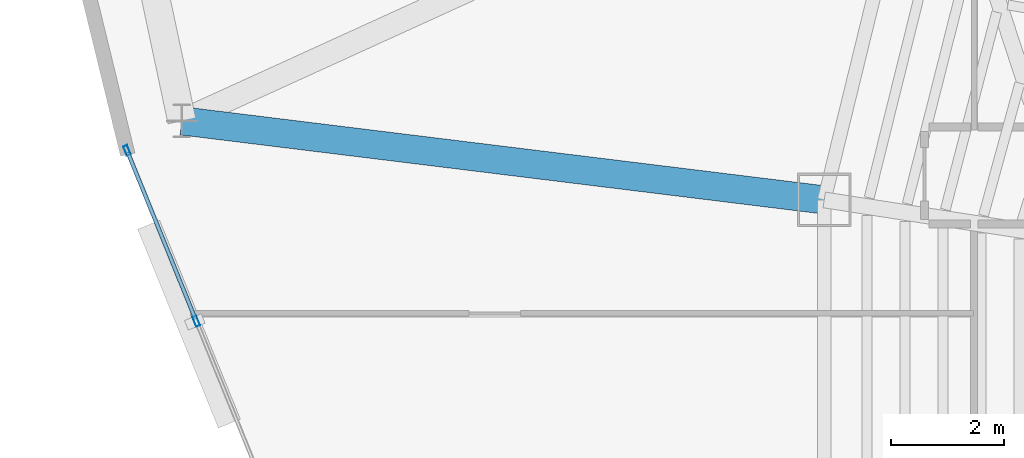
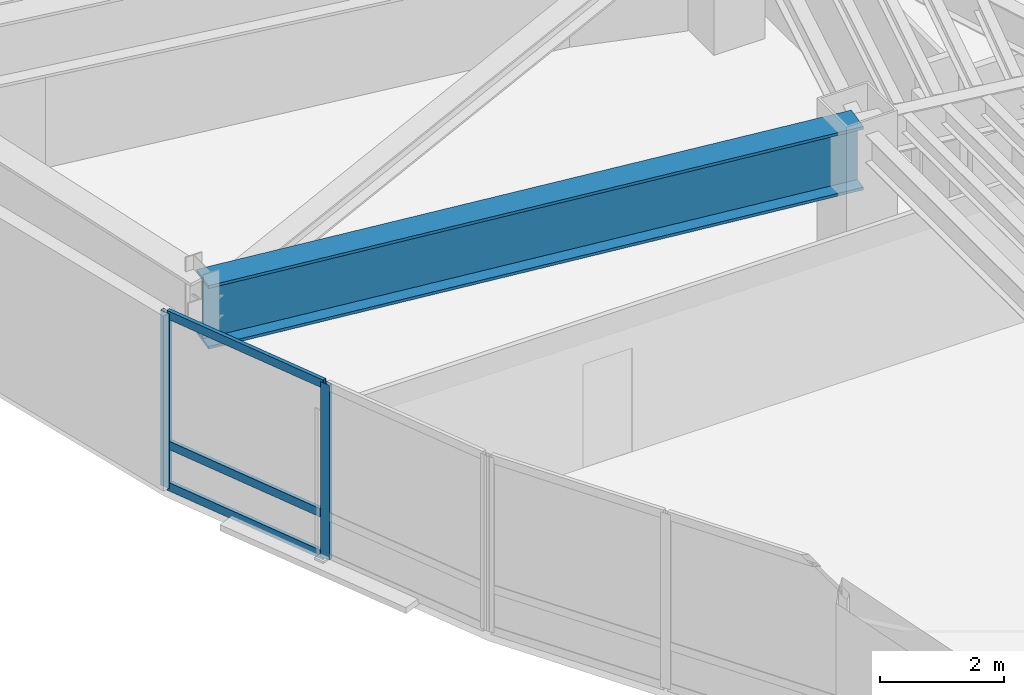
# One storey, part 6 of 16: 5 members, 1 beam, 1 element without a shape of its own.
"""IFC4 building model written with IfcOpenShell, lengths in metres."""

import ifcopenshell
import ifcopenshell.guid

model = None  # the IFC model being written
_history = None  # IfcOwnerHistory: only IFC2X3 demands one
_inside = {}  # id of a spatial element -> (the spatial element, [elements in it])
_under = {}  # id of a project, library or spatial element -> (it, [spatial elements below it])
_declared = {}  # id of a project -> (the project, [libraries it declares])
_typed = {}  # id of a type object -> (the type object, [elements of that type])
_made_of = {}  # id of a material, layer set ... -> (it, [elements and type objects made of it])


def new_model(schema):
    """Start an empty IFC model of exactly this schema.

    Asked for "IFC4X3", IfcOpenShell would pick the latest addendum, in which some entities
    have other attributes; the version numbers below select the first issue.
    IFC2X3 requires an IfcOwnerHistory on every rooted entity: one is made here for all.
    """
    global model, _history
    if schema == "IFC4X3":
        model = ifcopenshell.file(schema_version=(4, 3, 0, 0))
    else:
        model = ifcopenshell.file(schema=schema)
    _inside.clear()
    _under.clear()
    _declared.clear()
    _typed.clear()
    _made_of.clear()
    _history = None
    if model.schema == "IFC2X3":
        org = make("IfcOrganization", Name="unknown")
        user = make(
            "IfcPersonAndOrganization",
            ThePerson=make("IfcPerson", FamilyName="unknown"),
            TheOrganization=org,
        )
        app = make(
            "IfcApplication",
            ApplicationDeveloper=org,
            Version="unknown",
            ApplicationFullName="unknown",
            ApplicationIdentifier="unknown",
        )
        _history = make(
            "IfcOwnerHistory",
            OwningUser=user,
            OwningApplication=app,
            ChangeAction="ADDED",
            CreationDate=0,
        )
    return model


def make(cls, **values):
    """One entity of the class cls with the attributes given. An attribute that is None is left unset."""
    return model.create_entity(
        cls, **{name: value for name, value in values.items() if value is not None}
    )


def rooted(cls, **values):
    """An entity with a GlobalId (a new one), such as an element, a storey or a relation."""
    return make(cls, GlobalId=ifcopenshell.guid.new(), OwnerHistory=_history, **values)


def si_unit(unit_type, name, prefix=None):
    """IfcSIUnit, for example si_unit("LENGTHUNIT", "METRE", prefix="MILLI")."""
    return make("IfcSIUnit", UnitType=unit_type, Prefix=prefix, Name=name)


def assignment(units):
    """IfcUnitAssignment: the units of a project."""
    return None if units is None else make("IfcUnitAssignment", Units=units)


def point(xyz):
    """IfcCartesianPoint."""
    return None if xyz is None else make("IfcCartesianPoint", Coordinates=xyz)


def direction(xyz):
    """IfcDirection."""
    return None if xyz is None else make("IfcDirection", DirectionRatios=xyz)


def frame(location, z_axis=None, x_axis=None):
    """IfcAxis2Placement3D, a coordinate frame: its origin and axes. An axis left out is left unset."""
    return make(
        "IfcAxis2Placement3D",
        Location=point(location),
        Axis=direction(z_axis),
        RefDirection=direction(x_axis),
    )


def frame_2d(location, x_axis=None):
    """IfcAxis2Placement2D, a coordinate frame in the plane: its origin and x axis."""
    return make(
        "IfcAxis2Placement2D", Location=point(location), RefDirection=direction(x_axis)
    )


def origin():
    """The frame at (0, 0, 0) with its axes left unset."""
    return frame((0.0, 0.0, 0.0))


def origin_2d():
    """The frame at (0, 0) in the plane with its x axis left unset."""
    return frame_2d((0.0, 0.0))


def place(relative_to, where):
    """IfcLocalPlacement: puts the frame where relative to a parent placement (None: the world)."""
    return make(
        "IfcLocalPlacement", PlacementRelTo=relative_to, RelativePlacement=where
    )


def context(
    kind, dimensions, precision=None, world=None, true_north=None, identifier=None
):
    """IfcGeometricRepresentationContext, for example the 3D "Model" context."""
    return make(
        "IfcGeometricRepresentationContext",
        ContextIdentifier=identifier,
        ContextType=kind,
        CoordinateSpaceDimension=dimensions,
        Precision=precision,
        WorldCoordinateSystem=world,
        TrueNorth=true_north,
    )


def subcontext(parent, identifier, kind, view, scale=None):
    """IfcGeometricRepresentationSubContext, for example "Body" below "Model"."""
    return make(
        "IfcGeometricRepresentationSubContext",
        ContextIdentifier=identifier,
        ContextType=kind,
        ParentContext=parent,
        TargetScale=scale,
        TargetView=view,
    )


def project(units=None, contexts=None):
    """IfcProject with its units and contexts."""
    return rooted(
        "IfcProject",
        Name="project",
        RepresentationContexts=contexts,
        UnitsInContext=assignment(units),
    )


def spatial(cls, under=None, at=None, **own):
    """A site, building, storey or space (cls), placed at a placement, below another one or the project."""
    s = rooted(cls, ObjectPlacement=at, **own)
    if under is not None:
        _under.setdefault(under.id(), (under, []))[1].append(s)
    return s


def profile(cls, at=None, kind="AREA", **sizes):
    """A parametric profile (cls). Its sizes go by their IFC names, for example OverallWidth=200.0."""
    return make(cls, ProfileType=kind, Position=at, **sizes)


def hollow_rectangle(**sizes):
    """IfcRectangleHollowProfileDef."""
    return profile("IfcRectangleHollowProfileDef", **sizes)


def i_section(**sizes):
    """IfcIShapeProfileDef."""
    return profile("IfcIShapeProfileDef", **sizes)


def extrude(swept, where, along, depth):
    """IfcExtrudedAreaSolid: the profile swept, set in the frame where, extruded along a direction by depth."""
    return make(
        "IfcExtrudedAreaSolid",
        SweptArea=swept,
        Position=where,
        ExtrudedDirection=direction(along),
        Depth=depth,
    )


def shape(context_of_items, identifier, shape_type, items):
    """IfcShapeRepresentation: the items that make up one representation, for example the "Body"."""
    return make(
        "IfcShapeRepresentation",
        ContextOfItems=context_of_items,
        RepresentationIdentifier=identifier,
        RepresentationType=shape_type,
        Items=items,
    )


def material(Name=None, Category=None):
    """IfcMaterial."""
    return make("IfcMaterial", Name=Name, Category=Category)


def layer(
    of_material, thickness, ventilated=None, Name=None, Category=None, Priority=None
):
    """IfcMaterialLayer: one layer of a wall or slab, of a material (None: an air gap)."""
    return make(
        "IfcMaterialLayer",
        Material=of_material,
        LayerThickness=thickness,
        IsVentilated=ventilated,
        Name=Name,
        Category=Category,
        Priority=Priority,
    )


def layer_set(layers, Name=None):
    """IfcMaterialLayerSet."""
    return make("IfcMaterialLayerSet", MaterialLayers=layers, LayerSetName=Name)


def material_profile(
    of_material, cross_section, Name=None, Category=None, Priority=None
):
    """IfcMaterialProfile: a cross section and its material."""
    return make(
        "IfcMaterialProfile",
        Name=Name,
        Material=of_material,
        Profile=cross_section,
        Priority=Priority,
        Category=Category,
    )


def profile_set(profiles, Name=None, composite=None):
    """IfcMaterialProfileSet."""
    return make(
        "IfcMaterialProfileSet",
        Name=Name,
        MaterialProfiles=profiles,
        CompositeProfile=composite,
    )


def made_of(thing, what):
    """Note that an element or type object is made of a material, layer set ...; save() writes the relation."""
    if what is not None:
        _made_of.setdefault(what.id(), (what, []))[1].append(thing)
    return thing


def type_object(cls, material=None, **own):
    """A type object (cls), such as IfcWallType, which elements share."""
    return made_of(rooted(cls, **own), material)


def element(
    cls,
    number,
    at=None,
    inside=None,
    cuts=None,
    type_object=None,
    material=None,
    context=None,
    identifier="Body",
    shape_type=None,
    held_by="IfcProductDefinitionShape",
    body=None,
    shapes=None,
    **own,
):
    """One element of the class cls, such as IfcWall. Its Tag is "e" and its number.

    at: its placement. inside: the storey or other place that contains it. cuts: it is an
    opening in that element (IfcRelVoidsElement). A single representation is given by context,
    identifier, shape_type and body (its items); several are given by shapes. held_by: the class
    of the entity that holds the representations. save() writes the other relations.
    """
    e = rooted(cls, Tag="e%d" % number, ObjectPlacement=at, **own)
    if body is not None:
        shapes = [shape(context, identifier, shape_type, body)]
    if shapes is not None:
        e.Representation = make(held_by, Representations=shapes)
    if inside is not None:
        _inside.setdefault(inside.id(), (inside, []))[1].append(e)
    if cuts is not None:
        rooted(
            "IfcRelVoidsElement", RelatingBuildingElement=cuts, RelatedOpeningElement=e
        )
    if type_object is not None:
        _typed.setdefault(type_object.id(), (type_object, []))[1].append(e)
    return made_of(e, material)


def aggregate(whole, parts):
    """IfcRelAggregates: a whole, such as a stair, and the parts it consists of."""
    return rooted("IfcRelAggregates", RelatingObject=whole, RelatedObjects=parts)


def save(model, path):
    """Write the relations noted so far, then the file.

    IfcRelAggregates (storeys below a building ...), IfcRelContainedInSpatialStructure (elements
    in a storey), IfcRelDefinesByType, IfcRelAssociatesMaterial and IfcRelDeclares: one each for
    every whole, place, type object, material and project.
    """
    for whole, parts in _under.values():
        aggregate(whole, parts)
    for where, things in _inside.values():
        rooted(
            "IfcRelContainedInSpatialStructure",
            RelatedElements=things,
            RelatingStructure=where,
        )
    for kind, things in _typed.values():
        rooted("IfcRelDefinesByType", RelatedObjects=things, RelatingType=kind)
    for what, things in _made_of.values():
        rooted("IfcRelAssociatesMaterial", RelatedObjects=things, RelatingMaterial=what)
    for by, libraries in _declared.values():
        rooted("IfcRelDeclares", RelatingContext=by, RelatedDefinitions=libraries)
    model.write(path)


model = new_model("IFC4")

# Units and contexts
model_context = context("Model", 3, precision=1e-05, world=origin(), true_north=direction((0.0, 1.0)))
body_context = subcontext(model_context, "Body", "Model", "MODEL_VIEW")
ifc_project = project(units=[si_unit("LENGTHUNIT", "METRE"), si_unit("AREAUNIT", "SQUARE_METRE"), si_unit("VOLUMEUNIT", "CUBIC_METRE"), si_unit("PLANEANGLEUNIT", "RADIAN"), si_unit("MASSUNIT", "GRAM", prefix="KILO")], contexts=[model_context])

# Site, building, storey
site_placement = place(None, origin())
site = spatial("IfcSite", under=ifc_project, at=site_placement, CompositionType="ELEMENT")
building_placement = place(site_placement, origin())
building = spatial("IfcBuilding", under=site, at=building_placement, Name="Menara Vayukalpa", CompositionType="ELEMENT")
storey_placement = place(building_placement, frame((0.0, 0.0, 202.679931640625)))
storey = spatial("IfcBuildingStorey", under=building, at=storey_placement, Name="L51", CompositionType="ELEMENT", Elevation=202.679931640625)

# Beam
ifc_material_1 = material(Name="Steel S460", Category="steel")
ifc_material_profile_1 = material_profile(ifc_material_1, i_section(OverallWidth=0.5, OverallDepth=1.25, WebThickness=0.028076171875, FlangeThickness=0.054931640625, at=origin_2d()), Name="WG 1250x500x28x55")
ifc_profile_set_1 = profile_set([ifc_material_profile_1], Name="Steel S460")
beam_type = type_object("IfcBeamType", Name="BM-TG2", PredefinedType="BEAM", material=ifc_profile_set_1)
beam_placement = place(storey_placement, frame((13.343994140625, 27.4892578125, 2.815185546875), z_axis=(-0.992512957278, 0.122139386091, 0.0), x_axis=(-0.122139386091, -0.992512957278, 0.0)))
element("IfcBeam", 1, at=beam_placement, inside=storey, type_object=beam_type, Name="L51 SB4 Sky Bar Vierendeel Girder 05", PredefinedType="BEAM", context=body_context, shape_type="SweptSolid", body=[
    extrude(i_section(OverallWidth=0.5, OverallDepth=1.25, WebThickness=0.028076171875, FlangeThickness=0.054931640625, at=origin_2d()), origin(), (0.0, 0.0, 1.0), 11.463623046875),
])

# Curtain wall, members
ifc_material_2 = material(Name="Anodised Terracotta Aluminium Alloy 6063-T6", Category="masonry")
ifc_layer = layer(ifc_material_2, 0.179931640625)
ifc_layer_set = layer_set([ifc_layer], Name="Anodised Terracotta Aluminium Alloy 6063-T6")
curtain_wall_type = type_object("IfcCurtainWallType", Name="CW-CW4", PredefinedType="USERDEFINED", material=ifc_layer_set)
curtain_wall_placement = place(storey_placement, origin())
curtain_wall = element("IfcCurtainWall", 2, at=curtain_wall_placement, inside=storey, type_object=curtain_wall_type, Name="L51 Sky Bar Cantilever Glazed Curtain Wall CW4 13", ObjectType="UNITISED", PredefinedType="USERDEFINED")
ifc_material_3 = material(Name="Anodised Terracotta Aluminium Alloy 6063-T6", Category="masonry")
ifc_material_profile_2 = material_profile(ifc_material_3, hollow_rectangle(XDim=0.074951171875, YDim=0.179931640625, WallThickness=0.00390625, at=origin_2d()), Name="ALU 75x180x4")
ifc_profile_set_2 = profile_set([ifc_material_profile_2], Name="Anodised Terracotta Aluminium Alloy 6063-T6")
member_type_1 = type_object("IfcMemberType", Name="CWM-CW4", PredefinedType="MULLION", material=ifc_profile_set_2)
member_1_placement = place(storey_placement, frame((0.9951171875, 28.365966796875, 0.0), z_axis=(0.0, 0.0, 1.0), x_axis=(0.926582183577, 0.376092351793, 0.0)))
member_1 = element("IfcMember", 3, at=member_1_placement, type_object=member_type_1, Name="CW4 mullion 1", PredefinedType="MULLION", context=body_context, shape_type="SweptSolid", body=[
    extrude(hollow_rectangle(XDim=0.074951171875, YDim=0.179931640625, WallThickness=0.00390625, at=origin_2d()), origin(), (0.0, 0.0, 1.0), 3.440185546875),
])
member_2_placement = place(storey_placement, frame((2.222900390625, 25.340576171875, 0.0), z_axis=(0.0, 0.0, 1.0), x_axis=(0.926582183577, 0.376092351793, 0.0)))
member_2 = element("IfcMember", 4, at=member_2_placement, type_object=member_type_1, Name="CW4 mullion 2", PredefinedType="MULLION", context=body_context, shape_type="SweptSolid", body=[
    extrude(hollow_rectangle(XDim=0.074951171875, YDim=0.179931640625, WallThickness=0.00390625, at=origin_2d()), origin(), (0.0, 0.0, 1.0), 3.440185546875),
])
ifc_material_4 = material(Name="Anodised Terracotta Aluminium Alloy 6063-T6", Category="masonry")
ifc_material_profile_3 = material_profile(ifc_material_4, hollow_rectangle(XDim=0.070068359375, YDim=0.1650390625, WallThickness=0.00390625, at=origin_2d()), Name="ALU 70x165x4")
ifc_profile_set_3 = profile_set([ifc_material_profile_3], Name="Anodised Terracotta Aluminium Alloy 6063-T6")
member_type_2 = type_object("IfcMemberType", Name="CWT-CW4", PredefinedType="USERDEFINED", material=ifc_profile_set_3)
member_3_placement = place(storey_placement, frame((1.009033203125, 28.331298828125, 0.03515625), z_axis=(0.376083469559, -0.926585788756, 0.0), x_axis=(0.926585788756, 0.376083469559, 0.0)))
member_3 = element("IfcMember", 5, at=member_3_placement, type_object=member_type_2, Name="CW4 transom 1.1", ObjectType="TRANSOM", PredefinedType="USERDEFINED", context=body_context, shape_type="SweptSolid", body=[
    extrude(hollow_rectangle(XDim=0.070068359375, YDim=0.1650390625, WallThickness=0.00390625, at=origin_2d()), origin(), (0.0, 0.0, 1.0), 3.18994140625),
])
member_4_placement = place(storey_placement, frame((1.009033203125, 28.331298828125, 0.85009765625), z_axis=(0.376083469559, -0.926585788756, 0.0), x_axis=(0.926585788756, 0.376083469559, 0.0)))
member_4 = element("IfcMember", 6, at=member_4_placement, type_object=member_type_2, Name="CW4 transom 1.2", ObjectType="TRANSOM", PredefinedType="USERDEFINED", context=body_context, shape_type="SweptSolid", body=[
    extrude(hollow_rectangle(XDim=0.070068359375, YDim=0.1650390625, WallThickness=0.00390625, at=origin_2d()), origin(), (0.0, 0.0, 1.0), 3.18994140625),
])
member_5_placement = place(storey_placement, frame((1.009033203125, 28.331298828125, 3.405029296875), z_axis=(0.376083469559, -0.926585788756, 0.0), x_axis=(0.926585788756, 0.376083469559, 0.0)))
member_5 = element("IfcMember", 7, at=member_5_placement, type_object=member_type_2, Name="CW4 transom 1.3", ObjectType="TRANSOM", PredefinedType="USERDEFINED", context=body_context, shape_type="SweptSolid", body=[
    extrude(hollow_rectangle(XDim=0.070068359375, YDim=0.1650390625, WallThickness=0.00390625, at=origin_2d()), origin(), (0.0, 0.0, 1.0), 3.18994140625),
])
aggregate(curtain_wall, [member_1, member_2, member_3, member_4, member_5])

save(model, "model.ifc")
